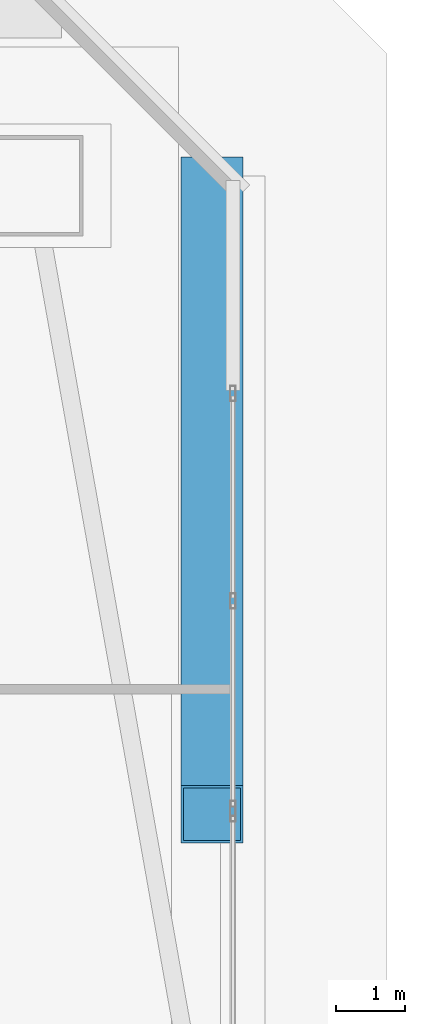
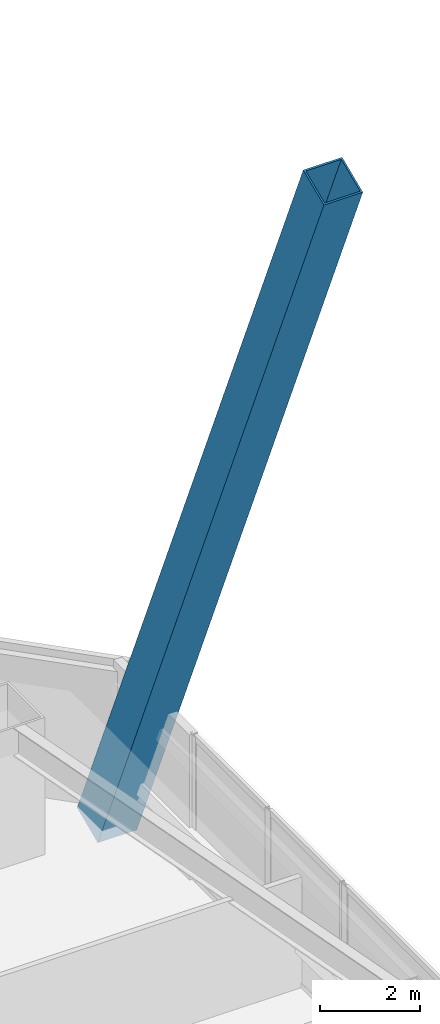
# One storey, part 27 of 67: 1 member.
"""IFC4 building model written with IfcOpenShell, lengths in metres."""

import ifcopenshell
import ifcopenshell.guid

model = None  # the IFC model being written
_history = None  # IfcOwnerHistory: only IFC2X3 demands one
_inside = {}  # id of a spatial element -> (the spatial element, [elements in it])
_under = {}  # id of a project, library or spatial element -> (it, [spatial elements below it])
_declared = {}  # id of a project -> (the project, [libraries it declares])
_typed = {}  # id of a type object -> (the type object, [elements of that type])
_made_of = {}  # id of a material, layer set ... -> (it, [elements and type objects made of it])


def new_model(schema):
    """Start an empty IFC model of exactly this schema.

    Asked for "IFC4X3", IfcOpenShell would pick the latest addendum, in which some entities
    have other attributes; the version numbers below select the first issue.
    IFC2X3 requires an IfcOwnerHistory on every rooted entity: one is made here for all.
    """
    global model, _history
    if schema == "IFC4X3":
        model = ifcopenshell.file(schema_version=(4, 3, 0, 0))
    else:
        model = ifcopenshell.file(schema=schema)
    _inside.clear()
    _under.clear()
    _declared.clear()
    _typed.clear()
    _made_of.clear()
    _history = None
    if model.schema == "IFC2X3":
        org = make("IfcOrganization", Name="unknown")
        user = make(
            "IfcPersonAndOrganization",
            ThePerson=make("IfcPerson", FamilyName="unknown"),
            TheOrganization=org,
        )
        app = make(
            "IfcApplication",
            ApplicationDeveloper=org,
            Version="unknown",
            ApplicationFullName="unknown",
            ApplicationIdentifier="unknown",
        )
        _history = make(
            "IfcOwnerHistory",
            OwningUser=user,
            OwningApplication=app,
            ChangeAction="ADDED",
            CreationDate=0,
        )
    return model


def make(cls, **values):
    """One entity of the class cls with the attributes given. An attribute that is None is left unset."""
    return model.create_entity(
        cls, **{name: value for name, value in values.items() if value is not None}
    )


def rooted(cls, **values):
    """An entity with a GlobalId (a new one), such as an element, a storey or a relation."""
    return make(cls, GlobalId=ifcopenshell.guid.new(), OwnerHistory=_history, **values)


def si_unit(unit_type, name, prefix=None):
    """IfcSIUnit, for example si_unit("LENGTHUNIT", "METRE", prefix="MILLI")."""
    return make("IfcSIUnit", UnitType=unit_type, Prefix=prefix, Name=name)


def assignment(units):
    """IfcUnitAssignment: the units of a project."""
    return None if units is None else make("IfcUnitAssignment", Units=units)


def point(xyz):
    """IfcCartesianPoint."""
    return None if xyz is None else make("IfcCartesianPoint", Coordinates=xyz)


def direction(xyz):
    """IfcDirection."""
    return None if xyz is None else make("IfcDirection", DirectionRatios=xyz)


def frame(location, z_axis=None, x_axis=None):
    """IfcAxis2Placement3D, a coordinate frame: its origin and axes. An axis left out is left unset."""
    return make(
        "IfcAxis2Placement3D",
        Location=point(location),
        Axis=direction(z_axis),
        RefDirection=direction(x_axis),
    )


def frame_2d(location, x_axis=None):
    """IfcAxis2Placement2D, a coordinate frame in the plane: its origin and x axis."""
    return make(
        "IfcAxis2Placement2D", Location=point(location), RefDirection=direction(x_axis)
    )


def origin():
    """The frame at (0, 0, 0) with its axes left unset."""
    return frame((0.0, 0.0, 0.0))


def origin_2d():
    """The frame at (0, 0) in the plane with its x axis left unset."""
    return frame_2d((0.0, 0.0))


def place(relative_to, where):
    """IfcLocalPlacement: puts the frame where relative to a parent placement (None: the world)."""
    return make(
        "IfcLocalPlacement", PlacementRelTo=relative_to, RelativePlacement=where
    )


def context(
    kind, dimensions, precision=None, world=None, true_north=None, identifier=None
):
    """IfcGeometricRepresentationContext, for example the 3D "Model" context."""
    return make(
        "IfcGeometricRepresentationContext",
        ContextIdentifier=identifier,
        ContextType=kind,
        CoordinateSpaceDimension=dimensions,
        Precision=precision,
        WorldCoordinateSystem=world,
        TrueNorth=true_north,
    )


def subcontext(parent, identifier, kind, view, scale=None):
    """IfcGeometricRepresentationSubContext, for example "Body" below "Model"."""
    return make(
        "IfcGeometricRepresentationSubContext",
        ContextIdentifier=identifier,
        ContextType=kind,
        ParentContext=parent,
        TargetScale=scale,
        TargetView=view,
    )


def project(units=None, contexts=None):
    """IfcProject with its units and contexts."""
    return rooted(
        "IfcProject",
        Name="project",
        RepresentationContexts=contexts,
        UnitsInContext=assignment(units),
    )


def spatial(cls, under=None, at=None, **own):
    """A site, building, storey or space (cls), placed at a placement, below another one or the project."""
    s = rooted(cls, ObjectPlacement=at, **own)
    if under is not None:
        _under.setdefault(under.id(), (under, []))[1].append(s)
    return s


def profile(cls, at=None, kind="AREA", **sizes):
    """A parametric profile (cls). Its sizes go by their IFC names, for example OverallWidth=200.0."""
    return make(cls, ProfileType=kind, Position=at, **sizes)


def hollow_rectangle(**sizes):
    """IfcRectangleHollowProfileDef."""
    return profile("IfcRectangleHollowProfileDef", **sizes)


def extrude(swept, where, along, depth):
    """IfcExtrudedAreaSolid: the profile swept, set in the frame where, extruded along a direction by depth."""
    return make(
        "IfcExtrudedAreaSolid",
        SweptArea=swept,
        Position=where,
        ExtrudedDirection=direction(along),
        Depth=depth,
    )


def shape(context_of_items, identifier, shape_type, items):
    """IfcShapeRepresentation: the items that make up one representation, for example the "Body"."""
    return make(
        "IfcShapeRepresentation",
        ContextOfItems=context_of_items,
        RepresentationIdentifier=identifier,
        RepresentationType=shape_type,
        Items=items,
    )


def material(Name=None, Category=None):
    """IfcMaterial."""
    return make("IfcMaterial", Name=Name, Category=Category)


def material_profile(
    of_material, cross_section, Name=None, Category=None, Priority=None
):
    """IfcMaterialProfile: a cross section and its material."""
    return make(
        "IfcMaterialProfile",
        Name=Name,
        Material=of_material,
        Profile=cross_section,
        Priority=Priority,
        Category=Category,
    )


def profile_set(profiles, Name=None, composite=None):
    """IfcMaterialProfileSet."""
    return make(
        "IfcMaterialProfileSet",
        Name=Name,
        MaterialProfiles=profiles,
        CompositeProfile=composite,
    )


def made_of(thing, what):
    """Note that an element or type object is made of a material, layer set ...; save() writes the relation."""
    if what is not None:
        _made_of.setdefault(what.id(), (what, []))[1].append(thing)
    return thing


def type_object(cls, material=None, **own):
    """A type object (cls), such as IfcWallType, which elements share."""
    return made_of(rooted(cls, **own), material)


def element(
    cls,
    number,
    at=None,
    inside=None,
    cuts=None,
    type_object=None,
    material=None,
    context=None,
    identifier="Body",
    shape_type=None,
    held_by="IfcProductDefinitionShape",
    body=None,
    shapes=None,
    **own,
):
    """One element of the class cls, such as IfcWall. Its Tag is "e" and its number.

    at: its placement. inside: the storey or other place that contains it. cuts: it is an
    opening in that element (IfcRelVoidsElement). A single representation is given by context,
    identifier, shape_type and body (its items); several are given by shapes. held_by: the class
    of the entity that holds the representations. save() writes the other relations.
    """
    e = rooted(cls, Tag="e%d" % number, ObjectPlacement=at, **own)
    if body is not None:
        shapes = [shape(context, identifier, shape_type, body)]
    if shapes is not None:
        e.Representation = make(held_by, Representations=shapes)
    if inside is not None:
        _inside.setdefault(inside.id(), (inside, []))[1].append(e)
    if cuts is not None:
        rooted(
            "IfcRelVoidsElement", RelatingBuildingElement=cuts, RelatedOpeningElement=e
        )
    if type_object is not None:
        _typed.setdefault(type_object.id(), (type_object, []))[1].append(e)
    return made_of(e, material)


def aggregate(whole, parts):
    """IfcRelAggregates: a whole, such as a stair, and the parts it consists of."""
    return rooted("IfcRelAggregates", RelatingObject=whole, RelatedObjects=parts)


def save(model, path):
    """Write the relations noted so far, then the file.

    IfcRelAggregates (storeys below a building ...), IfcRelContainedInSpatialStructure (elements
    in a storey), IfcRelDefinesByType, IfcRelAssociatesMaterial and IfcRelDeclares: one each for
    every whole, place, type object, material and project.
    """
    for whole, parts in _under.values():
        aggregate(whole, parts)
    for where, things in _inside.values():
        rooted(
            "IfcRelContainedInSpatialStructure",
            RelatedElements=things,
            RelatingStructure=where,
        )
    for kind, things in _typed.values():
        rooted("IfcRelDefinesByType", RelatedObjects=things, RelatingType=kind)
    for what, things in _made_of.values():
        rooted("IfcRelAssociatesMaterial", RelatedObjects=things, RelatingMaterial=what)
    for by, libraries in _declared.values():
        rooted("IfcRelDeclares", RelatingContext=by, RelatedDefinitions=libraries)
    model.write(path)


model = new_model("IFC4")

# Units and contexts
model_context = context("Model", 3, precision=1e-05, world=origin(), true_north=direction((0.0, 1.0)))
body_context = subcontext(model_context, "Body", "Model", "MODEL_VIEW")
ifc_project = project(units=[si_unit("LENGTHUNIT", "METRE"), si_unit("AREAUNIT", "SQUARE_METRE"), si_unit("VOLUMEUNIT", "CUBIC_METRE"), si_unit("PLANEANGLEUNIT", "RADIAN"), si_unit("MASSUNIT", "GRAM", prefix="KILO")], contexts=[model_context])

# Site, building, storey
site_placement = place(None, origin())
site = spatial("IfcSite", under=ifc_project, at=site_placement, CompositionType="ELEMENT")
building_placement = place(site_placement, origin())
building = spatial("IfcBuilding", under=site, at=building_placement, Name="Tashvorn Skyway Center", CompositionType="ELEMENT")
storey_placement = place(building_placement, frame((0.0, 0.0, 67.199951171875)))
storey = spatial("IfcBuildingStorey", under=building, at=storey_placement, Name="L17", CompositionType="ELEMENT", Elevation=67.199951171875)

# Member
ifc_material = material(Name="Steel ASTM A572 Grade 50", Category="steel")
ifc_material_profile = material_profile(ifc_material, hollow_rectangle(XDim=0.89990234375, YDim=0.89990234375, WallThickness=0.0400390625, at=origin_2d()), Name="BOX900x900x40")
ifc_profile_set = profile_set([ifc_material_profile], Name="Steel ASTM A572 Grade 50")
member_type = type_object("IfcMemberType", Name="MEM-MB-900", PredefinedType="BRACE", material=ifc_profile_set)
member_placement = place(storey_placement, frame((62.679931640625, 50.10009765625, -0.219970703125), z_axis=(0.0, -0.394656720236, 0.918828641898), x_axis=(1.0, 0.0, 0.0)))
element("IfcMember", 1, at=member_placement, inside=storey, type_object=member_type, Name="Tower 1 Zone 2 E Chevron Mega-Brace R1", PredefinedType="BRACE", context=body_context, shape_type="SweptSolid", body=[
    extrude(hollow_rectangle(XDim=0.89990234375, YDim=0.89990234375, WallThickness=0.0400390625, at=origin_2d()), origin(), (0.0, 0.0, 1.0), 22.931396484375),
])

save(model, "model.ifc")
